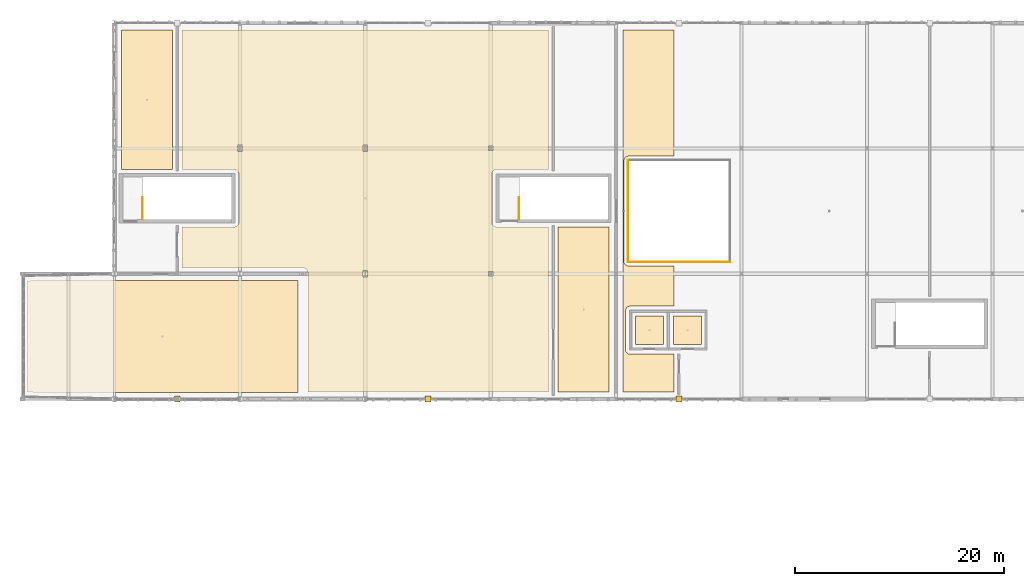
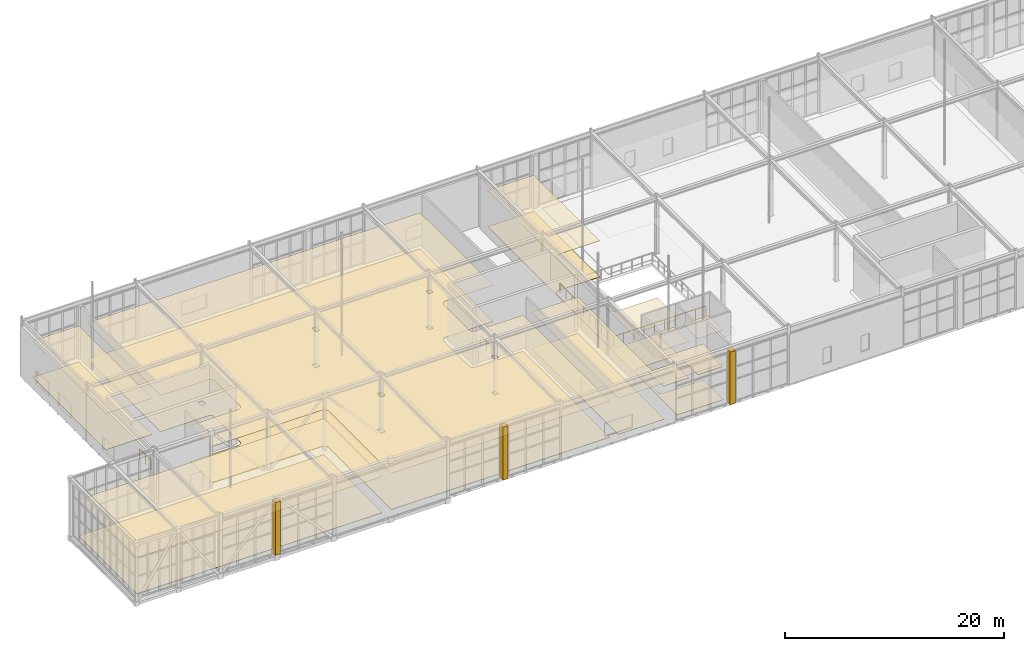
# One storey, part 53 of 62: 17 coverings, 4 railings.
"""IFC4 building model written with IfcOpenShell, lengths in metres."""

from ifc_helpers import new_model, si_unit, direction, frame, origin, origin_2d, place, context, subcontext, project, spatial, polyline, circle, outline, extrude, material, layer, layer_set, type_object, element, save


model = new_model("IFC4")

# Units and contexts
model_context = context("Model", 3, precision=1e-05, world=origin(), true_north=direction((0.0, 1.0)))
body_context = subcontext(model_context, "Body", "Model", "MODEL_VIEW")
ifc_project = project(units=[si_unit("LENGTHUNIT", "METRE"), si_unit("AREAUNIT", "SQUARE_METRE"), si_unit("VOLUMEUNIT", "CUBIC_METRE"), si_unit("PLANEANGLEUNIT", "RADIAN"), si_unit("MASSUNIT", "GRAM", prefix="KILO")], contexts=[model_context])

# Site, building, storey
site_placement = place(None, origin())
site = spatial("IfcSite", under=ifc_project, at=site_placement, CompositionType="ELEMENT")
building_placement = place(site_placement, origin())
building = spatial("IfcBuilding", under=site, at=building_placement, Name="Zlatogorsky Bluff Art Gallery", CompositionType="ELEMENT")
storey_placement = place(building_placement, frame((0.0, 0.0, 16.800048828125)))
storey = spatial("IfcBuildingStorey", under=building, at=storey_placement, Name="L03", CompositionType="ELEMENT", Elevation=16.800048828125)

# Coverings
ifc_material_1 = material(Name="Perforated Gypsum Acoustic Board", Category="gypsum")
ifc_layer_1 = layer(ifc_material_1, 0.0400390625)
ifc_layer_set_1 = layer_set([ifc_layer_1], Name="Acoustic Gallery Ceiling CLG-01")
covering_type_1 = type_object("IfcCoveringType", Name="Acoustic Gallery Ceiling CLG-01", PredefinedType="CEILING", material=ifc_layer_set_1)
covering_1_placement = place(storey_placement, frame((0.0, 0.0, 4.050048828125)))
element("IfcCovering", 1, at=covering_1_placement, inside=storey, type_object=covering_type_1, Name="Public Restrooms and Staff WC acoustic ceiling", PredefinedType="CEILING", context=body_context, shape_type="SweptSolid", body=[
    extrude(outline(polyline([(52.550048828125, 91.949951171875), (52.550048828125, 89.25), (49.85009765625, 89.25), (49.85009765625, 91.949951171875), (52.550048828125, 91.949951171875)])), origin(), (0.0, 0.0, 1.0), 0.039794921875),
])
covering_2_placement = place(storey_placement, frame((0.0, 0.0, 4.050048828125)))
element("IfcCovering", 2, at=covering_2_placement, inside=storey, type_object=covering_type_1, Name="Accessible WC acoustic ceiling", PredefinedType="CEILING", context=body_context, shape_type="SweptSolid", body=[
    extrude(outline(polyline([(56.14990234375, 89.25), (53.5, 89.25), (53.5, 91.949951171875), (56.14990234375, 91.949951171875), (56.14990234375, 89.25)])), origin(), (0.0, 0.0, 1.0), 0.039794921875),
])
covering_3_placement = place(storey_placement, frame((0.0, 0.0, 4.050048828125)))
element("IfcCovering", 3, at=covering_3_placement, inside=storey, type_object=covering_type_1, Name="River-Bluff Lookout Lounge acoustic ceiling", PredefinedType="CEILING", context=body_context, shape_type="SweptSolid", body=[
    extrude(outline(polyline([(-7.3271484375, 84.64990234375), (-8.35009765625, 84.677978515625), (-8.35009765625, 95.322021484375), (-7.3271484375, 95.35009765625), (17.550048828125, 95.35009765625), (17.550048828125, 84.64990234375), (-7.3271484375, 84.64990234375)])), origin(), (0.0, 0.0, 1.0), 0.039794921875),
])
covering_4_placement = place(storey_placement, frame((0.0, 0.0, 4.050048828125)))
element("IfcCovering", 4, at=covering_4_placement, inside=storey, type_object=covering_type_1, Name="Top-Lit Vaulted Grand Painting Gallery acoustic ceiling", PredefinedType="CEILING", context=body_context, shape_type="SweptSolid", body=[
    extrude(outline(polyline([(0.669921875, 119.330078125), (5.550048828125, 119.330078125), (5.550048828125, 105.9599609375), (0.669921875, 105.9599609375), (0.669921875, 119.330078125)])), origin(), (0.0, 0.0, 1.0), 0.039794921875),
])
covering_5_placement = place(storey_placement, frame((0.0, 0.0, 4.050048828125)))
element("IfcCovering", 5, at=covering_5_placement, inside=storey, type_object=covering_type_1, Name="Top-Lit Vaulted Grand Painting Gallery acoustic ceiling", PredefinedType="CEILING", context=body_context, shape_type="SweptSolid", body=[
    extrude(outline(polyline([(18.5, 96.10009765625), (18.497802734375, 96.14404296875), (18.491455078125, 96.187744140625), (18.480712890625, 96.230712890625), (18.4658203125, 96.272216796875), (18.447021484375, 96.31201171875), (18.42431640625, 96.35009765625), (18.39794921875, 96.385498046875), (18.3681640625, 96.418212890625), (18.33544921875, 96.447998046875), (18.300048828125, 96.47412109375), (18.26220703125, 96.496826171875), (18.22216796875, 96.515625), (18.1806640625, 96.530517578125), (18.1376953125, 96.54150390625), (18.093994140625, 96.5478515625), (18.050048828125, 96.550048828125), (6.449951171875, 96.550048828125), (6.449951171875, 100.489990234375), (11.450927734375, 100.489990234375), (11.495361328125, 100.4921875), (11.539306640625, 100.498779296875), (11.540283203125, 100.498779296875), (11.549560546875, 100.5009765625), (11.550537109375, 100.501220703125), (11.59375, 100.512939453125), (11.6357421875, 100.529296875), (11.637451171875, 100.530029296875), (11.673095703125, 100.5478515625), (11.674072265625, 100.54833984375), (11.706298828125, 100.568115234375), (11.73681640625, 100.59033203125), (11.73828125, 100.591552734375), (11.775390625, 100.624755859375), (11.80859375, 100.661865234375), (11.809814453125, 100.663330078125), (11.83203125, 100.693603515625), (11.851806640625, 100.725830078125), (11.852294921875, 100.726806640625), (11.8701171875, 100.762451171875), (11.870849609375, 100.764404296875), (11.886962890625, 100.80615234375), (11.89892578125, 100.849609375), (11.899169921875, 100.850341796875), (11.901123046875, 100.859619140625), (11.9013671875, 100.860595703125), (11.90771484375, 100.90478515625), (11.909912109375, 100.948974609375), (11.909912109375, 105.5009765625), (11.90771484375, 105.54541015625), (11.9013671875, 105.58935546875), (11.901123046875, 105.59033203125), (11.899169921875, 105.599609375), (11.89892578125, 105.6005859375), (11.886962890625, 105.643798828125), (11.870849609375, 105.685791015625), (11.8701171875, 105.6875), (11.852294921875, 105.72314453125), (11.851806640625, 105.72412109375), (11.83203125, 105.75634765625), (11.809814453125, 105.78662109375), (11.80859375, 105.7880859375), (11.775390625, 105.8251953125), (11.73828125, 105.8583984375), (11.73681640625, 105.859619140625), (11.706298828125, 105.882080078125), (11.674072265625, 105.901611328125), (11.673095703125, 105.902099609375), (11.637451171875, 105.919921875), (11.63671875, 105.92041015625), (11.6357421875, 105.9208984375), (11.59375, 105.93701171875), (11.550537109375, 105.948974609375), (11.549560546875, 105.94921875), (11.540283203125, 105.951171875), (11.539306640625, 105.951416015625), (11.495361328125, 105.957763671875), (11.450927734375, 105.9599609375), (6.449951171875, 105.9599609375), (6.449951171875, 119.330078125), (41.550048828125, 119.330078125), (41.550048828125, 105.9599609375), (36.549072265625, 105.9599609375), (36.504638671875, 105.957763671875), (36.460693359375, 105.951416015625), (36.459716796875, 105.951171875), (36.450439453125, 105.94921875), (36.449462890625, 105.948974609375), (36.40625, 105.93701171875), (36.3642578125, 105.9208984375), (36.36328125, 105.92041015625), (36.362548828125, 105.919921875), (36.326904296875, 105.902099609375), (36.325927734375, 105.901611328125), (36.293701171875, 105.882080078125), (36.26318359375, 105.859619140625), (36.26171875, 105.8583984375), (36.224609375, 105.8251953125), (36.19140625, 105.7880859375), (36.190185546875, 105.78662109375), (36.16796875, 105.75634765625), (36.148193359375, 105.72412109375), (36.147705078125, 105.72314453125), (36.1298828125, 105.6875), (36.129638671875, 105.6865234375), (36.129150390625, 105.685791015625), (36.113037109375, 105.643798828125), (36.10107421875, 105.6005859375), (36.100830078125, 105.599609375), (36.098876953125, 105.59033203125), (36.0986328125, 105.58935546875), (36.09228515625, 105.54541015625), (36.090087890625, 105.5009765625), (36.090087890625, 100.948974609375), (36.09228515625, 100.90478515625), (36.0986328125, 100.860595703125), (36.098876953125, 100.859619140625), (36.100830078125, 100.850341796875), (36.10107421875, 100.849609375), (36.113037109375, 100.80615234375), (36.129150390625, 100.764404296875), (36.129638671875, 100.763427734375), (36.1298828125, 100.762451171875), (36.147705078125, 100.726806640625), (36.148193359375, 100.725830078125), (36.16796875, 100.693603515625), (36.190185546875, 100.663330078125), (36.19140625, 100.661865234375), (36.224609375, 100.624755859375), (36.26171875, 100.591552734375), (36.26318359375, 100.59033203125), (36.293701171875, 100.568115234375), (36.325927734375, 100.54833984375), (36.326904296875, 100.5478515625), (36.362548828125, 100.530029296875), (36.3642578125, 100.529296875), (36.40625, 100.512939453125), (36.449462890625, 100.501220703125), (36.450439453125, 100.5009765625), (36.459716796875, 100.498779296875), (36.460693359375, 100.498779296875), (36.504638671875, 100.4921875), (36.549072265625, 100.489990234375), (41.550048828125, 100.489990234375), (41.550048828125, 84.669921875), (18.5, 84.669921875), (18.5, 96.10009765625)]), holes=[polyline([(36.22998046875, 95.77001953125), (36.22998046875, 96.22998046875), (35.77001953125, 96.22998046875), (35.77001953125, 95.77001953125), (36.22998046875, 95.77001953125)]), polyline([(23.77001953125, 95.695068359375), (24.22998046875, 95.695068359375), (24.22998046875, 96.304931640625), (23.77001953125, 96.304931640625), (23.77001953125, 95.695068359375)]), polyline([(23.77001953125, 107.695068359375), (24.22998046875, 107.695068359375), (24.22998046875, 108.304931640625), (23.77001953125, 108.304931640625), (23.77001953125, 107.695068359375)]), polyline([(11.77001953125, 107.695068359375), (12.22998046875, 107.695068359375), (12.22998046875, 108.304931640625), (11.77001953125, 108.304931640625), (11.77001953125, 107.695068359375)]), polyline([(35.77001953125, 107.77001953125), (36.22998046875, 107.77001953125), (36.22998046875, 108.22998046875), (35.77001953125, 108.22998046875), (35.77001953125, 107.77001953125)])]), origin(), (0.0, 0.0, 1.0), 0.039794921875),
])
covering_6_placement = place(storey_placement, frame((0.0, 0.0, 4.050048828125)))
element("IfcCovering", 6, at=covering_6_placement, inside=storey, type_object=covering_type_1, Name="Top-Lit Vaulted Grand Painting Gallery acoustic ceiling", PredefinedType="CEILING", context=body_context, shape_type="SweptSolid", body=[
    extrude(outline(polyline([(42.449951171875, 84.669921875), (42.449951171875, 100.489990234375), (47.330078125, 100.489990234375), (47.330078125, 84.669921875), (42.449951171875, 84.669921875)])), origin(), (0.0, 0.0, 1.0), 0.039794921875),
])
covering_7_placement = place(storey_placement, frame((0.0, 0.0, 4.050048828125)))
element("IfcCovering", 7, at=covering_7_placement, inside=storey, type_object=covering_type_1, Name="Contemporary Sculpture Exhibition Hall acoustic ceiling", PredefinedType="CEILING", context=body_context, shape_type="SweptSolid", body=[
    extrude(outline(polyline([(53.550048828125, 107.25), (49.199951171875, 107.25), (49.156005859375, 107.247802734375), (49.1123046875, 107.241455078125), (49.0693359375, 107.230712890625), (49.02783203125, 107.2158203125), (48.98779296875, 107.197021484375), (48.949951171875, 107.17431640625), (48.91455078125, 107.14794921875), (48.8818359375, 107.1181640625), (48.85205078125, 107.08544921875), (48.82568359375, 107.050048828125), (48.802978515625, 107.01220703125), (48.7841796875, 106.97216796875), (48.769287109375, 106.9306640625), (48.758544921875, 106.8876953125), (48.752197265625, 106.843994140625), (48.75, 106.800048828125), (48.75, 97.199951171875), (48.752197265625, 97.156005859375), (48.758544921875, 97.1123046875), (48.769287109375, 97.0693359375), (48.7841796875, 97.02783203125), (48.802978515625, 96.98779296875), (48.82568359375, 96.949951171875), (48.85205078125, 96.91455078125), (48.8818359375, 96.8818359375), (48.91455078125, 96.85205078125), (48.949951171875, 96.82568359375), (48.98779296875, 96.802978515625), (49.02783203125, 96.7841796875), (49.0693359375, 96.769287109375), (49.1123046875, 96.758544921875), (49.156005859375, 96.752197265625), (49.199951171875, 96.75), (53.550048828125, 96.75), (53.550048828125, 92.89990234375), (49.35009765625, 92.89990234375), (49.305908203125, 92.897705078125), (49.26220703125, 92.891357421875), (49.219482421875, 92.880615234375), (49.177734375, 92.86572265625), (49.137939453125, 92.846923828125), (49.10009765625, 92.82421875), (49.064453125, 92.7978515625), (49.03173828125, 92.768310546875), (49.002197265625, 92.735595703125), (48.975830078125, 92.699951171875), (48.953125, 92.662109375), (48.934326171875, 92.622314453125), (48.91943359375, 92.58056640625), (48.90869140625, 92.537841796875), (48.902099609375, 92.494140625), (48.89990234375, 92.449951171875), (48.89990234375, 88.75), (48.902099609375, 88.705810546875), (48.90869140625, 88.662109375), (48.91943359375, 88.619384765625), (48.934326171875, 88.577880859375), (48.953125, 88.537841796875), (48.975830078125, 88.5), (49.002197265625, 88.464599609375), (49.03173828125, 88.431884765625), (49.064453125, 88.402099609375), (49.10009765625, 88.375732421875), (49.137939453125, 88.35302734375), (49.177734375, 88.334228515625), (49.219482421875, 88.3193359375), (49.26220703125, 88.30859375), (49.305908203125, 88.30224609375), (49.35009765625, 88.300048828125), (53.550048828125, 88.300048828125), (53.550048828125, 84.669921875), (48.669921875, 84.669921875), (48.669921875, 119.330078125), (53.550048828125, 119.330078125), (53.550048828125, 107.25)])), origin(), (0.0, 0.0, 1.0), 0.039794921875),
])
ifc_material_2 = material(Name="Honed Red Agra-Tone Quartzitic Sandstone", Category="masonry")
ifc_layer_2 = layer(ifc_material_2, 0.1201171875)
ifc_layer_set_2 = layer_set([ifc_layer_2], Name="Carved Sandstone Cladding CLD-02")
covering_type_2 = type_object("IfcCoveringType", Name="Carved Sandstone Cladding CLD-02", PredefinedType="CLADDING", material=ifc_layer_set_2)
covering_8_placement = place(storey_placement, frame((0.0, 0.0, -0.030029296875)))
element("IfcCovering", 8, at=covering_8_placement, inside=storey, type_object=covering_type_2, Name="Mughal dalan central sandstone pier L03 S 0.8", PredefinedType="CLADDING", context=body_context, shape_type="SweptSolid", body=[
    extrude(outline(polyline([(5.719970703125, 83.719970703125), (6.280029296875, 83.719970703125), (6.280029296875, 84.280029296875), (5.719970703125, 84.280029296875), (5.719970703125, 83.719970703125)])), origin(), (0.0, 0.0, 1.0), 5.8798828125),
])
covering_9_placement = place(storey_placement, frame((0.0, 0.0, -0.030029296875)))
element("IfcCovering", 9, at=covering_9_placement, inside=storey, type_object=covering_type_2, Name="Mughal dalan central sandstone pier L03 S 2.8", PredefinedType="CLADDING", context=body_context, shape_type="SweptSolid", body=[
    extrude(outline(polyline([(29.719970703125, 83.719970703125), (30.280029296875, 83.719970703125), (30.280029296875, 84.280029296875), (29.719970703125, 84.280029296875), (29.719970703125, 83.719970703125)])), origin(), (0.0, 0.0, 1.0), 5.8798828125),
])
covering_10_placement = place(storey_placement, frame((0.0, 0.0, -0.030029296875)))
element("IfcCovering", 10, at=covering_10_placement, inside=storey, type_object=covering_type_2, Name="Mughal dalan central sandstone pier L03 S 4.8", PredefinedType="CLADDING", context=body_context, shape_type="SweptSolid", body=[
    extrude(outline(polyline([(53.719970703125, 83.719970703125), (54.280029296875, 83.719970703125), (54.280029296875, 84.280029296875), (53.719970703125, 84.280029296875), (53.719970703125, 83.719970703125)])), origin(), (0.0, 0.0, 1.0), 5.8798828125),
])

# Railings
ifc_material_3 = material(Name="Architectural Bronze and Laminated Glass", Category="glass")
railing_type = type_object("IfcRailingType", Name="Gallery Guard Rail 1100mm", PredefinedType="GUARDRAIL", material=ifc_material_3)
for number, where, name in (
    (11, (2.699951171875, 101.199951171875, 0.0), "L03 ST-05 top well guard 1"),
    (12, (38.699951171875, 101.199951171875, 0.0), "L03 ST-07 top well guard 1"),
):
    element("IfcRailing", number, at=place(storey_placement, frame(where)), inside=storey, type_object=railing_type, Name=name, PredefinedType="GUARDRAIL", context=body_context, shape_type="SweptSolid", body=[
        extrude(circle(Radius=0.02392578125, at=origin_2d()), frame((0.0, 0.0, 1.076171875), z_axis=(0.0, 1.0, 0.0), x_axis=(-1.0, 0.0, 0.0)), (0.0, 0.0, 1.0), 2.10009765625),
        extrude(circle(Radius=0.02099609375, at=origin_2d()), origin(), (0.0, 0.0, 1.0), 1.052001953125),
        extrude(circle(Radius=0.02099609375, at=origin_2d()), frame((0.0, 1.050048828125, 0.0)), (0.0, 0.0, 1.0), 1.052001953125),
        extrude(circle(Radius=0.02099609375, at=origin_2d()), frame((0.0, 2.10009765625, 0.0)), (0.0, 0.0, 1.0), 1.052001953125),
    ])
railing_1_placement = place(storey_placement, frame((49.1201171875, 97.1201171875, 0.0)))
element("IfcRailing", 13, at=railing_1_placement, inside=storey, type_object=railing_type, Name="L03 atrium void guard 4.9.S", PredefinedType="GUARDRAIL", context=body_context, shape_type="SweptSolid", body=[
    extrude(circle(Radius=0.02392578125, at=origin_2d()), frame((0.0, 0.0, 1.076171875), z_axis=(1.0, 0.0, 0.0), x_axis=(0.0, 1.0, 0.0)), (0.0, 0.0, 1.0), 9.759765625),
    extrude(circle(Radius=0.02099609375, at=origin_2d()), origin(), (0.0, 0.0, 1.0), 1.052001953125),
    extrude(circle(Radius=0.02099609375, at=origin_2d()), frame((1.08447265625, 0.0, 0.0)), (0.0, 0.0, 1.0), 1.052001953125),
    extrude(circle(Radius=0.02099609375, at=origin_2d()), frame((2.1689453125, 0.0, 0.0)), (0.0, 0.0, 1.0), 1.052001953125),
    extrude(circle(Radius=0.02099609375, at=origin_2d()), frame((3.253173828125, 0.0, 0.0)), (0.0, 0.0, 1.0), 1.052001953125),
    extrude(circle(Radius=0.02099609375, at=origin_2d()), frame((4.337646484375, 0.0, 0.0)), (0.0, 0.0, 1.0), 1.052001953125),
    extrude(circle(Radius=0.02099609375, at=origin_2d()), frame((5.422119140625, 0.0, 0.0)), (0.0, 0.0, 1.0), 1.052001953125),
    extrude(circle(Radius=0.02099609375, at=origin_2d()), frame((6.506591796875, 0.0, 0.0)), (0.0, 0.0, 1.0), 1.052001953125),
    extrude(circle(Radius=0.02099609375, at=origin_2d()), frame((7.5908203125, 0.0, 0.0)), (0.0, 0.0, 1.0), 1.052001953125),
    extrude(circle(Radius=0.02099609375, at=origin_2d()), frame((8.67529296875, 0.0, 0.0)), (0.0, 0.0, 1.0), 1.052001953125),
    extrude(circle(Radius=0.02099609375, at=origin_2d()), frame((9.759765625, 0.0, 0.0)), (0.0, 0.0, 1.0), 1.052001953125),
])
railing_2_placement = place(storey_placement, frame((49.1201171875, 106.8798828125, 0.0)))
element("IfcRailing", 14, at=railing_2_placement, inside=storey, type_object=railing_type, Name="L03 atrium void guard 4.9.W", PredefinedType="GUARDRAIL", context=body_context, shape_type="SweptSolid", body=[
    extrude(circle(Radius=0.02392578125, at=origin_2d()), frame((0.0, 0.0, 1.076171875), z_axis=(0.0, -1.0, 0.0), x_axis=(1.0, 0.0, 0.0)), (0.0, 0.0, 1.0), 9.759765625),
    extrude(circle(Radius=0.02099609375, at=origin_2d()), origin(), (0.0, 0.0, 1.0), 1.052001953125),
    extrude(circle(Radius=0.02099609375, at=origin_2d()), frame((0.0, -1.08447265625, 0.0)), (0.0, 0.0, 1.0), 1.052001953125),
    extrude(circle(Radius=0.02099609375, at=origin_2d()), frame((0.0, -2.1689453125, 0.0)), (0.0, 0.0, 1.0), 1.052001953125),
    extrude(circle(Radius=0.02099609375, at=origin_2d()), frame((0.0, -3.253173828125, 0.0)), (0.0, 0.0, 1.0), 1.052001953125),
    extrude(circle(Radius=0.02099609375, at=origin_2d()), frame((0.0, -4.337646484375, 0.0)), (0.0, 0.0, 1.0), 1.052001953125),
    extrude(circle(Radius=0.02099609375, at=origin_2d()), frame((0.0, -5.422119140625, 0.0)), (0.0, 0.0, 1.0), 1.052001953125),
    extrude(circle(Radius=0.02099609375, at=origin_2d()), frame((0.0, -6.506591796875, 0.0)), (0.0, 0.0, 1.0), 1.052001953125),
    extrude(circle(Radius=0.02099609375, at=origin_2d()), frame((0.0, -7.5908203125, 0.0)), (0.0, 0.0, 1.0), 1.052001953125),
    extrude(circle(Radius=0.02099609375, at=origin_2d()), frame((0.0, -8.67529296875, 0.0)), (0.0, 0.0, 1.0), 1.052001953125),
    extrude(circle(Radius=0.02099609375, at=origin_2d()), frame((0.0, -9.759765625, 0.0)), (0.0, 0.0, 1.0), 1.052001953125),
])

# Coverings
ifc_material_4 = material(Name="Polished Ural Marble Terrazzo", Category="masonry")
ifc_layer_3 = layer(ifc_material_4, 0.050048828125)
ifc_layer_set_3 = layer_set([ifc_layer_3], Name="Terrazzo Gallery Flooring FLR-01")
covering_type_3 = type_object("IfcCoveringType", Name="Terrazzo Gallery Flooring FLR-01", PredefinedType="FLOORING", material=ifc_layer_set_3)
covering_11_placement = place(storey_placement, origin())
element("IfcCovering", 15, at=covering_11_placement, inside=storey, type_object=covering_type_3, Name="Public Restrooms and Staff WC terrazzo floor finish", PredefinedType="FLOORING", context=body_context, shape_type="SweptSolid", body=[
    extrude(outline(polyline([(52.550048828125, 91.949951171875), (52.550048828125, 89.25), (49.85009765625, 89.25), (49.85009765625, 91.949951171875), (52.550048828125, 91.949951171875)])), origin(), (0.0, 0.0, 1.0), 0.050048828125),
])
covering_12_placement = place(storey_placement, origin())
element("IfcCovering", 16, at=covering_12_placement, inside=storey, type_object=covering_type_3, Name="Accessible WC terrazzo floor finish", PredefinedType="FLOORING", context=body_context, shape_type="SweptSolid", body=[
    extrude(outline(polyline([(56.14990234375, 89.25), (53.5, 89.25), (53.5, 91.949951171875), (56.14990234375, 91.949951171875), (56.14990234375, 89.25)])), origin(), (0.0, 0.0, 1.0), 0.050048828125),
])
covering_13_placement = place(storey_placement, origin())
element("IfcCovering", 17, at=covering_13_placement, inside=storey, type_object=covering_type_3, Name="River-Bluff Lookout Lounge terrazzo floor finish", PredefinedType="FLOORING", context=body_context, shape_type="SweptSolid", body=[
    extrude(outline(polyline([(-7.3271484375, 84.64990234375), (-8.35009765625, 84.677978515625), (-8.35009765625, 95.322021484375), (-7.3271484375, 95.35009765625), (17.550048828125, 95.35009765625), (17.550048828125, 84.64990234375), (-7.3271484375, 84.64990234375)])), origin(), (0.0, 0.0, 1.0), 0.050048828125),
])
covering_14_placement = place(storey_placement, origin())
element("IfcCovering", 18, at=covering_14_placement, inside=storey, type_object=covering_type_3, Name="Top-Lit Vaulted Grand Painting Gallery terrazzo floor finish", PredefinedType="FLOORING", context=body_context, shape_type="SweptSolid", body=[
    extrude(outline(polyline([(0.669921875, 119.330078125), (5.550048828125, 119.330078125), (5.550048828125, 105.9599609375), (0.669921875, 105.9599609375), (0.669921875, 119.330078125)])), origin(), (0.0, 0.0, 1.0), 0.050048828125),
])
covering_15_placement = place(storey_placement, origin())
element("IfcCovering", 19, at=covering_15_placement, inside=storey, type_object=covering_type_3, Name="Top-Lit Vaulted Grand Painting Gallery terrazzo floor finish", PredefinedType="FLOORING", context=body_context, shape_type="SweptSolid", body=[
    extrude(outline(polyline([(18.5, 96.10009765625), (18.497802734375, 96.14404296875), (18.491455078125, 96.187744140625), (18.480712890625, 96.230712890625), (18.4658203125, 96.272216796875), (18.447021484375, 96.31201171875), (18.42431640625, 96.35009765625), (18.39794921875, 96.385498046875), (18.3681640625, 96.418212890625), (18.33544921875, 96.447998046875), (18.300048828125, 96.47412109375), (18.26220703125, 96.496826171875), (18.22216796875, 96.515625), (18.1806640625, 96.530517578125), (18.1376953125, 96.54150390625), (18.093994140625, 96.5478515625), (18.050048828125, 96.550048828125), (6.449951171875, 96.550048828125), (6.449951171875, 100.489990234375), (11.450927734375, 100.489990234375), (11.495361328125, 100.4921875), (11.539306640625, 100.498779296875), (11.540283203125, 100.498779296875), (11.549560546875, 100.5009765625), (11.550537109375, 100.501220703125), (11.59375, 100.512939453125), (11.6357421875, 100.529296875), (11.637451171875, 100.530029296875), (11.673095703125, 100.5478515625), (11.674072265625, 100.54833984375), (11.706298828125, 100.568115234375), (11.73681640625, 100.59033203125), (11.73828125, 100.591552734375), (11.775390625, 100.624755859375), (11.80859375, 100.661865234375), (11.809814453125, 100.663330078125), (11.83203125, 100.693603515625), (11.851806640625, 100.725830078125), (11.852294921875, 100.726806640625), (11.8701171875, 100.762451171875), (11.870849609375, 100.764404296875), (11.886962890625, 100.80615234375), (11.89892578125, 100.849609375), (11.899169921875, 100.850341796875), (11.901123046875, 100.859619140625), (11.9013671875, 100.860595703125), (11.90771484375, 100.90478515625), (11.909912109375, 100.948974609375), (11.909912109375, 105.5009765625), (11.90771484375, 105.54541015625), (11.9013671875, 105.58935546875), (11.901123046875, 105.59033203125), (11.899169921875, 105.599609375), (11.89892578125, 105.6005859375), (11.886962890625, 105.643798828125), (11.870849609375, 105.685791015625), (11.8701171875, 105.6875), (11.852294921875, 105.72314453125), (11.851806640625, 105.72412109375), (11.83203125, 105.75634765625), (11.809814453125, 105.78662109375), (11.80859375, 105.7880859375), (11.775390625, 105.8251953125), (11.73828125, 105.8583984375), (11.73681640625, 105.859619140625), (11.706298828125, 105.882080078125), (11.674072265625, 105.901611328125), (11.673095703125, 105.902099609375), (11.637451171875, 105.919921875), (11.63671875, 105.92041015625), (11.6357421875, 105.9208984375), (11.59375, 105.93701171875), (11.550537109375, 105.948974609375), (11.549560546875, 105.94921875), (11.540283203125, 105.951171875), (11.539306640625, 105.951416015625), (11.495361328125, 105.957763671875), (11.450927734375, 105.9599609375), (6.449951171875, 105.9599609375), (6.449951171875, 119.330078125), (41.550048828125, 119.330078125), (41.550048828125, 105.9599609375), (36.549072265625, 105.9599609375), (36.504638671875, 105.957763671875), (36.460693359375, 105.951416015625), (36.459716796875, 105.951171875), (36.450439453125, 105.94921875), (36.449462890625, 105.948974609375), (36.40625, 105.93701171875), (36.3642578125, 105.9208984375), (36.36328125, 105.92041015625), (36.362548828125, 105.919921875), (36.326904296875, 105.902099609375), (36.325927734375, 105.901611328125), (36.293701171875, 105.882080078125), (36.26318359375, 105.859619140625), (36.26171875, 105.8583984375), (36.224609375, 105.8251953125), (36.19140625, 105.7880859375), (36.190185546875, 105.78662109375), (36.16796875, 105.75634765625), (36.148193359375, 105.72412109375), (36.147705078125, 105.72314453125), (36.1298828125, 105.6875), (36.129638671875, 105.6865234375), (36.129150390625, 105.685791015625), (36.113037109375, 105.643798828125), (36.10107421875, 105.6005859375), (36.100830078125, 105.599609375), (36.098876953125, 105.59033203125), (36.0986328125, 105.58935546875), (36.09228515625, 105.54541015625), (36.090087890625, 105.5009765625), (36.090087890625, 100.948974609375), (36.09228515625, 100.90478515625), (36.0986328125, 100.860595703125), (36.098876953125, 100.859619140625), (36.100830078125, 100.850341796875), (36.10107421875, 100.849609375), (36.113037109375, 100.80615234375), (36.129150390625, 100.764404296875), (36.129638671875, 100.763427734375), (36.1298828125, 100.762451171875), (36.147705078125, 100.726806640625), (36.148193359375, 100.725830078125), (36.16796875, 100.693603515625), (36.190185546875, 100.663330078125), (36.19140625, 100.661865234375), (36.224609375, 100.624755859375), (36.26171875, 100.591552734375), (36.26318359375, 100.59033203125), (36.293701171875, 100.568115234375), (36.325927734375, 100.54833984375), (36.326904296875, 100.5478515625), (36.362548828125, 100.530029296875), (36.3642578125, 100.529296875), (36.40625, 100.512939453125), (36.449462890625, 100.501220703125), (36.450439453125, 100.5009765625), (36.459716796875, 100.498779296875), (36.460693359375, 100.498779296875), (36.504638671875, 100.4921875), (36.549072265625, 100.489990234375), (41.550048828125, 100.489990234375), (41.550048828125, 84.669921875), (18.5, 84.669921875), (18.5, 96.10009765625)]), holes=[polyline([(36.22998046875, 95.77001953125), (36.22998046875, 96.22998046875), (35.77001953125, 96.22998046875), (35.77001953125, 95.77001953125), (36.22998046875, 95.77001953125)]), polyline([(23.77001953125, 95.695068359375), (24.22998046875, 95.695068359375), (24.22998046875, 96.304931640625), (23.77001953125, 96.304931640625), (23.77001953125, 95.695068359375)]), polyline([(23.77001953125, 107.695068359375), (24.22998046875, 107.695068359375), (24.22998046875, 108.304931640625), (23.77001953125, 108.304931640625), (23.77001953125, 107.695068359375)]), polyline([(11.77001953125, 107.695068359375), (12.22998046875, 107.695068359375), (12.22998046875, 108.304931640625), (11.77001953125, 108.304931640625), (11.77001953125, 107.695068359375)]), polyline([(35.77001953125, 107.77001953125), (36.22998046875, 107.77001953125), (36.22998046875, 108.22998046875), (35.77001953125, 108.22998046875), (35.77001953125, 107.77001953125)])]), origin(), (0.0, 0.0, 1.0), 0.050048828125),
])
covering_16_placement = place(storey_placement, origin())
element("IfcCovering", 20, at=covering_16_placement, inside=storey, type_object=covering_type_3, Name="Top-Lit Vaulted Grand Painting Gallery terrazzo floor finish", PredefinedType="FLOORING", context=body_context, shape_type="SweptSolid", body=[
    extrude(outline(polyline([(42.449951171875, 84.669921875), (42.449951171875, 100.489990234375), (47.330078125, 100.489990234375), (47.330078125, 84.669921875), (42.449951171875, 84.669921875)])), origin(), (0.0, 0.0, 1.0), 0.050048828125),
])
covering_17_placement = place(storey_placement, origin())
element("IfcCovering", 21, at=covering_17_placement, inside=storey, type_object=covering_type_3, Name="Contemporary Sculpture Exhibition Hall terrazzo floor finish", PredefinedType="FLOORING", context=body_context, shape_type="SweptSolid", body=[
    extrude(outline(polyline([(53.550048828125, 107.25), (49.199951171875, 107.25), (49.156005859375, 107.247802734375), (49.1123046875, 107.241455078125), (49.0693359375, 107.230712890625), (49.02783203125, 107.2158203125), (48.98779296875, 107.197021484375), (48.949951171875, 107.17431640625), (48.91455078125, 107.14794921875), (48.8818359375, 107.1181640625), (48.85205078125, 107.08544921875), (48.82568359375, 107.050048828125), (48.802978515625, 107.01220703125), (48.7841796875, 106.97216796875), (48.769287109375, 106.9306640625), (48.758544921875, 106.8876953125), (48.752197265625, 106.843994140625), (48.75, 106.800048828125), (48.75, 97.199951171875), (48.752197265625, 97.156005859375), (48.758544921875, 97.1123046875), (48.769287109375, 97.0693359375), (48.7841796875, 97.02783203125), (48.802978515625, 96.98779296875), (48.82568359375, 96.949951171875), (48.85205078125, 96.91455078125), (48.8818359375, 96.8818359375), (48.91455078125, 96.85205078125), (48.949951171875, 96.82568359375), (48.98779296875, 96.802978515625), (49.02783203125, 96.7841796875), (49.0693359375, 96.769287109375), (49.1123046875, 96.758544921875), (49.156005859375, 96.752197265625), (49.199951171875, 96.75), (53.550048828125, 96.75), (53.550048828125, 92.89990234375), (49.35009765625, 92.89990234375), (49.305908203125, 92.897705078125), (49.26220703125, 92.891357421875), (49.219482421875, 92.880615234375), (49.177734375, 92.86572265625), (49.137939453125, 92.846923828125), (49.10009765625, 92.82421875), (49.064453125, 92.7978515625), (49.03173828125, 92.768310546875), (49.002197265625, 92.735595703125), (48.975830078125, 92.699951171875), (48.953125, 92.662109375), (48.934326171875, 92.622314453125), (48.91943359375, 92.58056640625), (48.90869140625, 92.537841796875), (48.902099609375, 92.494140625), (48.89990234375, 92.449951171875), (48.89990234375, 88.75), (48.902099609375, 88.705810546875), (48.90869140625, 88.662109375), (48.91943359375, 88.619384765625), (48.934326171875, 88.577880859375), (48.953125, 88.537841796875), (48.975830078125, 88.5), (49.002197265625, 88.464599609375), (49.03173828125, 88.431884765625), (49.064453125, 88.402099609375), (49.10009765625, 88.375732421875), (49.137939453125, 88.35302734375), (49.177734375, 88.334228515625), (49.219482421875, 88.3193359375), (49.26220703125, 88.30859375), (49.305908203125, 88.30224609375), (49.35009765625, 88.300048828125), (53.550048828125, 88.300048828125), (53.550048828125, 84.669921875), (48.669921875, 84.669921875), (48.669921875, 119.330078125), (53.550048828125, 119.330078125), (53.550048828125, 107.25)])), origin(), (0.0, 0.0, 1.0), 0.050048828125),
])

save(model, "model.ifc")
